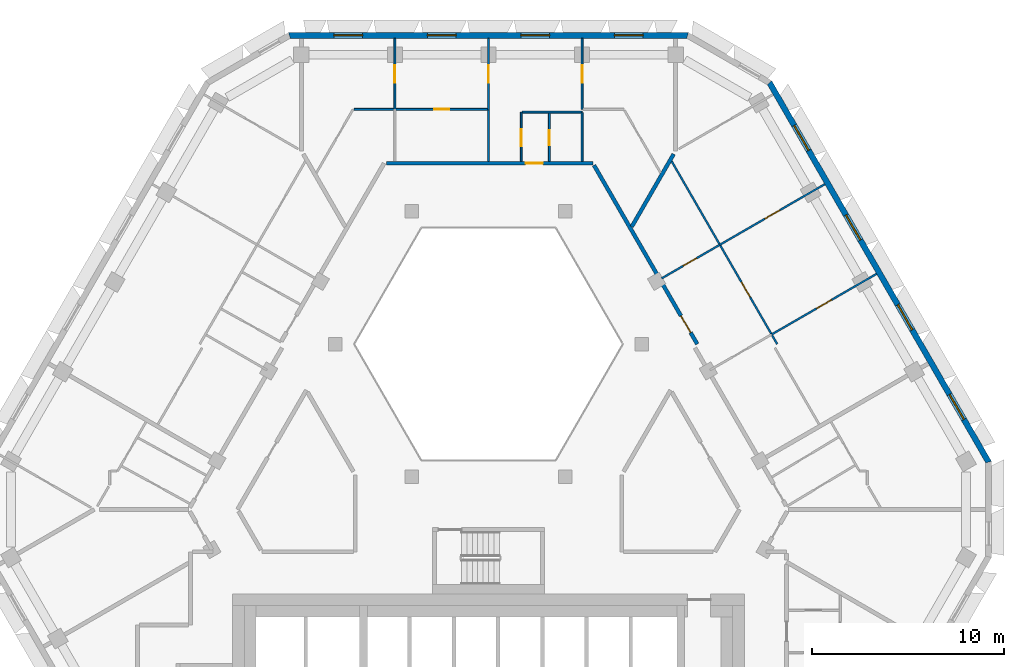
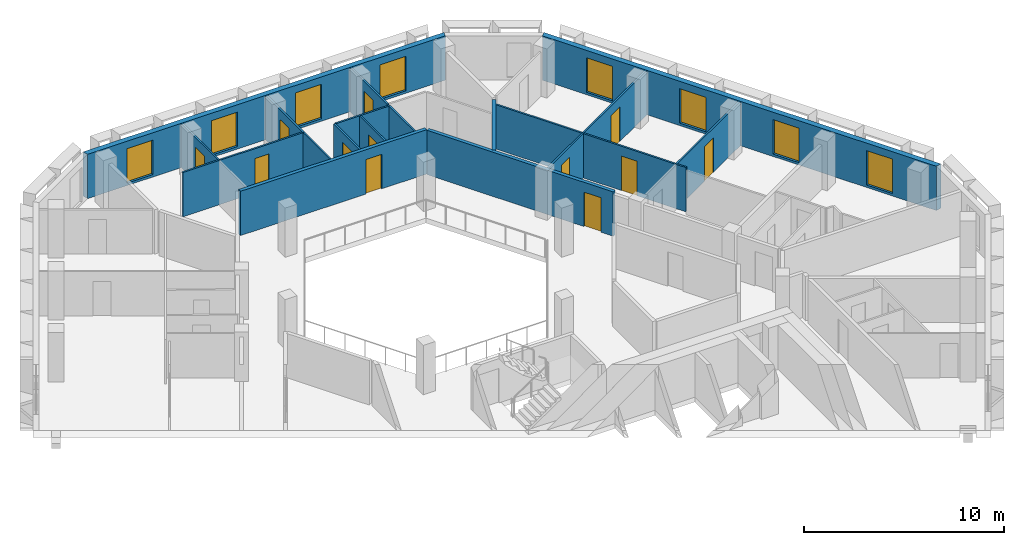
# One storey, part 7 of 15: 18 walls, 12 doors, 8 windows, 20 openings.
"""IFC4 building model written with IfcOpenShell, lengths in metres."""

from ifc_helpers import new_model, si_unit, direction, frame, frame_2d, origin, place, context, subcontext, project, spatial, polyline, rectangle, outline, extrude, material, layer, layer_set, type_object, element, fill, save


model = new_model("IFC4")

# Units and contexts
model_context = context("Model", 3, precision=1e-05, world=origin(), true_north=direction((0.0, 1.0)))
body_context = subcontext(model_context, "Body", "Model", "MODEL_VIEW")
ifc_project = project(units=[si_unit("LENGTHUNIT", "METRE"), si_unit("AREAUNIT", "SQUARE_METRE"), si_unit("VOLUMEUNIT", "CUBIC_METRE"), si_unit("PLANEANGLEUNIT", "RADIAN"), si_unit("MASSUNIT", "GRAM", prefix="KILO")], contexts=[model_context])

# Site, building, storey
site_placement = place(None, origin())
site = spatial("IfcSite", under=ifc_project, at=site_placement, CompositionType="ELEMENT")
building_placement = place(site_placement, origin())
building = spatial("IfcBuilding", under=site, at=building_placement, Name="Beryl Residences", CompositionType="ELEMENT")
storey_placement = place(building_placement, frame((0.0, 0.0, 187.199951171875)))
storey = spatial("IfcBuildingStorey", under=building, at=storey_placement, Name="L57", CompositionType="ELEMENT", Elevation=187.199951171875)

# Wall, openings, windows
ifc_material_1 = material(Name="Composite metal panel with mineral wool insulation")
ifc_layer_1 = layer(ifc_material_1, 0.300048828125)
ifc_layer_set_1 = layer_set([ifc_layer_1], Name="ES1 pale metal composite panel wall 300 mm")
wall_type_1 = type_object("IfcWallType", Name="ES1 pale metal composite panel wall 300 mm", PredefinedType="SOLIDWALL", material=ifc_layer_set_1)
wall_1_placement = place(storey_placement, frame((10.39208984375, 24.050048828125, 0.0), z_axis=(0.0, 0.0, 1.0), x_axis=(-1.0, 0.0, 0.0)))
wall_1 = element("IfcWall", 1, at=wall_1_placement, inside=storey, type_object=wall_type_1, Name="ES1 external wall L57 N", PredefinedType="SOLIDWALL", context=body_context, shape_type="SweptSolid", body=[
    extrude(outline(polyline([(0.0, -0.14990234375), (20.7841796875, -0.14990234375), (20.703857421875, 0.14990234375), (0.080322265625, 0.14990234375), (0.0, -0.14990234375)])), origin(), (0.0, 0.0, 1.0), 2.699951171875),
])
opening_1_placement = place(wall_1_placement, frame((2.345947265625, 0.0, 0.14990234375)))
opening_1 = element("IfcOpeningElement", 2, at=opening_1_placement, cuts=wall_1, Name="Opening W1", PredefinedType="OPENING", context=body_context, shape_type="SweptSolid", body=[
    extrude(rectangle(XDim=1.5, YDim=2.10009765625, at=frame_2d((0.75, 1.050048828125))), frame((0.0, 0.159912109375, 0.0), z_axis=(0.0, -1.0, 0.0), x_axis=(1.0, 0.0, 0.0)), (0.0, 0.0, 1.0), 0.320068359375),
])
opening_2_placement = place(wall_1_placement, frame((7.2099609375, 0.0, 0.14990234375)))
opening_2 = element("IfcOpeningElement", 3, at=opening_2_placement, cuts=wall_1, Name="Opening W1", PredefinedType="OPENING", context=body_context, shape_type="SweptSolid", body=[
    extrude(rectangle(XDim=1.5, YDim=2.10009765625, at=frame_2d((0.75, 1.050048828125))), frame((0.0, 0.159912109375, 0.0), z_axis=(0.0, -1.0, 0.0), x_axis=(1.0, 0.0, 0.0)), (0.0, 0.0, 1.0), 0.320068359375),
])
opening_3_placement = place(wall_1_placement, frame((12.073974609375, 0.0, 0.14990234375)))
opening_3 = element("IfcOpeningElement", 4, at=opening_3_placement, cuts=wall_1, Name="Opening W1", PredefinedType="OPENING", context=body_context, shape_type="SweptSolid", body=[
    extrude(rectangle(XDim=1.5, YDim=2.10009765625, at=frame_2d((0.75, 1.050048828125))), frame((0.0, 0.159912109375, 0.0), z_axis=(0.0, -1.0, 0.0), x_axis=(1.0, 0.0, 0.0)), (0.0, 0.0, 1.0), 0.320068359375),
])
opening_4_placement = place(wall_1_placement, frame((16.93798828125, 0.0, 0.14990234375)))
opening_4 = element("IfcOpeningElement", 5, at=opening_4_placement, cuts=wall_1, Name="Opening W1", PredefinedType="OPENING", context=body_context, shape_type="SweptSolid", body=[
    extrude(rectangle(XDim=1.5, YDim=2.10009765625, at=frame_2d((0.75, 1.050048828125))), frame((0.0, 0.159912109375, 0.0), z_axis=(0.0, -1.0, 0.0), x_axis=(1.0, 0.0, 0.0)), (0.0, 0.0, 1.0), 0.320068359375),
])
ifc_material_2 = material(Name="Aluminium and clear glass", Category="aluminium")
window_type = type_object("IfcWindowType", Name="W1 cell window 1500 x 2100 mm", PartitioningType="SINGLE_PANEL", PredefinedType="WINDOW", material=ifc_material_2)
window_1_placement = place(opening_1_placement, origin())
window_1 = element("IfcWindow", 6, at=window_1_placement, inside=storey, type_object=window_type, Name="W1 window L57 N 2", OverallHeight=2.10009765625, OverallWidth=1.5, PartitioningType="SINGLE_PANEL", PredefinedType="WINDOW", context=body_context, shape_type="SweptSolid", body=[
    extrude(rectangle(XDim=1.5, YDim=2.10009765625, at=frame_2d((0.75, 1.050048828125))), frame((0.0, 0.030029296875, 0.0), z_axis=(0.0, -1.0, 0.0), x_axis=(1.0, 0.0, 0.0)), (0.0, 0.0, 1.0), 0.06005859375),
])
fill(opening_1, window_1)
window_2_placement = place(opening_2_placement, origin())
window_2 = element("IfcWindow", 7, at=window_2_placement, inside=storey, type_object=window_type, Name="W1 window L57 N 4", OverallHeight=2.10009765625, OverallWidth=1.5, PartitioningType="SINGLE_PANEL", PredefinedType="WINDOW", context=body_context, shape_type="SweptSolid", body=[
    extrude(rectangle(XDim=1.5, YDim=2.10009765625, at=frame_2d((0.75, 1.050048828125))), frame((0.0, 0.030029296875, 0.0), z_axis=(0.0, -1.0, 0.0), x_axis=(1.0, 0.0, 0.0)), (0.0, 0.0, 1.0), 0.06005859375),
])
fill(opening_2, window_2)
window_3_placement = place(opening_3_placement, origin())
window_3 = element("IfcWindow", 8, at=window_3_placement, inside=storey, type_object=window_type, Name="W1 window L57 N 6", OverallHeight=2.10009765625, OverallWidth=1.5, PartitioningType="SINGLE_PANEL", PredefinedType="WINDOW", context=body_context, shape_type="SweptSolid", body=[
    extrude(rectangle(XDim=1.5, YDim=2.10009765625, at=frame_2d((0.75, 1.050048828125))), frame((0.0, 0.030029296875, 0.0), z_axis=(0.0, -1.0, 0.0), x_axis=(1.0, 0.0, 0.0)), (0.0, 0.0, 1.0), 0.06005859375),
])
fill(opening_3, window_3)
window_4_placement = place(opening_4_placement, origin())
window_4 = element("IfcWindow", 9, at=window_4_placement, inside=storey, type_object=window_type, Name="W1 window L57 N 8", OverallHeight=2.10009765625, OverallWidth=1.5, PartitioningType="SINGLE_PANEL", PredefinedType="WINDOW", context=body_context, shape_type="SweptSolid", body=[
    extrude(rectangle(XDim=1.5, YDim=2.10009765625, at=frame_2d((0.75, 1.050048828125))), frame((0.0, 0.030029296875, 0.0), z_axis=(0.0, -1.0, 0.0), x_axis=(1.0, 0.0, 0.0)), (0.0, 0.0, 1.0), 0.06005859375),
])
fill(opening_4, window_4)

wall_2_placement = place(storey_placement, frame((26.02392578125, 1.824951171875, 0.0), z_axis=(0.0, 0.0, 1.0), x_axis=(-0.500010537973, 0.866019319597, 0.0)))
wall_2 = element("IfcWall", 10, at=wall_2_placement, inside=storey, type_object=wall_type_1, Name="ES1 external wall L57 NE", PredefinedType="SOLIDWALL", context=body_context, shape_type="SweptSolid", body=[
    extrude(outline(polyline([(0.0, -0.14990234375), (22.86328125, -0.14990234375), (22.782958984375, 0.14990234375), (0.080322265625, 0.14990234375), (0.0, -0.14990234375)])), origin(), (0.0, 0.0, 1.0), 2.699951171875),
])
opening_5_placement = place(wall_2_placement, frame((2.60595703125, 0.0, 0.14990234375)))
opening_5 = element("IfcOpeningElement", 11, at=opening_5_placement, cuts=wall_2, Name="Opening W1", PredefinedType="OPENING", context=body_context, shape_type="SweptSolid", body=[
    extrude(rectangle(XDim=1.5, YDim=2.10009765625, at=frame_2d((0.75, 1.050048828125))), frame((0.0, 0.159912109375, 0.0), z_axis=(0.0, -1.0, 0.0), x_axis=(1.0, 0.0, 0.0)), (0.0, 0.0, 1.0), 0.320068359375),
])
opening_6_placement = place(wall_2_placement, frame((7.989990234375, 0.0, 0.14990234375)))
opening_6 = element("IfcOpeningElement", 12, at=opening_6_placement, cuts=wall_2, Name="Opening W1", PredefinedType="OPENING", context=body_context, shape_type="SweptSolid", body=[
    extrude(rectangle(XDim=1.5, YDim=2.10009765625, at=frame_2d((0.75, 1.050048828125))), frame((0.0, 0.159912109375, 0.0), z_axis=(0.0, -1.0, 0.0), x_axis=(1.0, 0.0, 0.0)), (0.0, 0.0, 1.0), 0.320068359375),
])
opening_7_placement = place(wall_2_placement, frame((13.373046875, 0.0, 0.14990234375)))
opening_7 = element("IfcOpeningElement", 13, at=opening_7_placement, cuts=wall_2, Name="Opening W1", PredefinedType="OPENING", context=body_context, shape_type="SweptSolid", body=[
    extrude(rectangle(XDim=1.5, YDim=2.10009765625, at=frame_2d((0.75, 1.050048828125))), frame((0.0, 0.159912109375, 0.0), z_axis=(0.0, -1.0, 0.0), x_axis=(1.0, 0.0, 0.0)), (0.0, 0.0, 1.0), 0.320068359375),
])
opening_8_placement = place(wall_2_placement, frame((18.758056640625, 0.0, 0.14990234375)))
opening_8 = element("IfcOpeningElement", 14, at=opening_8_placement, cuts=wall_2, Name="Opening W1", PredefinedType="OPENING", context=body_context, shape_type="SweptSolid", body=[
    extrude(rectangle(XDim=1.5, YDim=2.10009765625, at=frame_2d((0.75, 1.050048828125))), frame((0.0, 0.159912109375, 0.0), z_axis=(0.0, -1.0, 0.0), x_axis=(1.0, 0.0, 0.0)), (0.0, 0.0, 1.0), 0.320068359375),
])
window_5_placement = place(opening_5_placement, origin())
window_5 = element("IfcWindow", 15, at=window_5_placement, inside=storey, type_object=window_type, Name="W1 window L57 NE 2", OverallHeight=2.10009765625, OverallWidth=1.5, PartitioningType="SINGLE_PANEL", PredefinedType="WINDOW", context=body_context, shape_type="SweptSolid", body=[
    extrude(rectangle(XDim=1.5, YDim=2.10009765625, at=frame_2d((0.75, 1.050048828125))), frame((0.0, 0.030029296875, 0.0), z_axis=(0.0, -1.0, 0.0), x_axis=(1.0, 0.0, 0.0)), (0.0, 0.0, 1.0), 0.06005859375),
])
fill(opening_5, window_5)
window_6_placement = place(opening_6_placement, origin())
window_6 = element("IfcWindow", 16, at=window_6_placement, inside=storey, type_object=window_type, Name="W1 window L57 NE 4", OverallHeight=2.10009765625, OverallWidth=1.5, PartitioningType="SINGLE_PANEL", PredefinedType="WINDOW", context=body_context, shape_type="SweptSolid", body=[
    extrude(rectangle(XDim=1.5, YDim=2.10009765625, at=frame_2d((0.75, 1.050048828125))), frame((0.0, 0.030029296875, 0.0), z_axis=(0.0, -1.0, 0.0), x_axis=(1.0, 0.0, 0.0)), (0.0, 0.0, 1.0), 0.06005859375),
])
fill(opening_6, window_6)
window_7_placement = place(opening_7_placement, origin())
window_7 = element("IfcWindow", 17, at=window_7_placement, inside=storey, type_object=window_type, Name="W1 window L57 NE 6", OverallHeight=2.10009765625, OverallWidth=1.5, PartitioningType="SINGLE_PANEL", PredefinedType="WINDOW", context=body_context, shape_type="SweptSolid", body=[
    extrude(rectangle(XDim=1.5, YDim=2.10009765625, at=frame_2d((0.75, 1.050048828125))), frame((0.0, 0.030029296875, 0.0), z_axis=(0.0, -1.0, 0.0), x_axis=(1.0, 0.0, 0.0)), (0.0, 0.0, 1.0), 0.06005859375),
])
fill(opening_7, window_7)
window_8_placement = place(opening_8_placement, origin())
window_8 = element("IfcWindow", 18, at=window_8_placement, inside=storey, type_object=window_type, Name="W1 window L57 NE 8", OverallHeight=2.10009765625, OverallWidth=1.5, PartitioningType="SINGLE_PANEL", PredefinedType="WINDOW", context=body_context, shape_type="SweptSolid", body=[
    extrude(rectangle(XDim=1.5, YDim=2.10009765625, at=frame_2d((0.75, 1.050048828125))), frame((0.0, 0.030029296875, 0.0), z_axis=(0.0, -1.0, 0.0), x_axis=(1.0, 0.0, 0.0)), (0.0, 0.0, 1.0), 0.06005859375),
])
fill(opening_8, window_8)

# Wall, opening, door
ifc_material_3 = material(Name="Gypsum board partition on steel studs", Category="steel")
ifc_layer_2 = layer(ifc_material_3, 0.10009765625)
ifc_layer_set_2 = layer_set([ifc_layer_2], Name="PT1 partition 100 mm gypsum board on steel studs")
wall_type_2 = type_object("IfcWallType", Name="PT1 partition 100 mm gypsum board on steel studs", PredefinedType="PARTITIONING", material=ifc_layer_set_2)
wall_3_placement = place(storey_placement, frame((9.52587890625, 17.5, 0.0), z_axis=(0.0, 0.0, 1.0), x_axis=(0.500019134094, -0.866014356428, 0.0)))
wall_3 = element("IfcWall", 19, at=wall_3_placement, inside=storey, type_object=wall_type_2, Name="Wall PT1 L57 003", PredefinedType="PARTITIONING", context=body_context, shape_type="SweptSolid", body=[
    extrude(rectangle(XDim=10.9697265625, YDim=0.10009765625, at=frame_2d((5.48486328125, 0.0))), origin(), (0.0, 0.0, 1.0), 2.699951171875),
])
opening_9_placement = place(wall_3_placement, frame((7.25, 0.0, 0.0)))
opening_9 = element("IfcOpeningElement", 20, at=opening_9_placement, cuts=wall_3, Name="Opening D1702", PredefinedType="OPENING", context=body_context, shape_type="SweptSolid", body=[
    extrude(rectangle(XDim=0.89990234375, YDim=2.10009765625, at=frame_2d((0.449951171875, 1.050048828125))), frame((0.0, 0.06005859375, 0.0), z_axis=(0.0, -1.0, 0.0), x_axis=(1.0, 0.0, 0.0)), (0.0, 0.0, 1.0), 0.1201171875),
])
ifc_material_4 = material(Name="Timber door leaf", Category="wood")
door_type_1 = type_object("IfcDoorType", Name="D2 room door 900 x 2100 mm", OperationType="SINGLE_SWING_LEFT", PredefinedType="DOOR", material=ifc_material_4)
door_1_placement = place(opening_9_placement, origin())
door_1 = element("IfcDoor", 21, at=door_1_placement, inside=storey, type_object=door_type_1, Name="Door D1702 L57 001", OperationType="SINGLE_SWING_RIGHT", OverallHeight=2.10009765625, OverallWidth=0.89990234375, PredefinedType="DOOR", context=body_context, shape_type="SweptSolid", body=[
    extrude(rectangle(XDim=0.89990234375, YDim=2.10009765625, at=frame_2d((0.449951171875, 1.050048828125))), frame((0.0, 0.02490234375, 0.0), z_axis=(0.0, -1.0, 0.0), x_axis=(1.0, 0.0, 0.0)), (0.0, 0.0, 1.0), 0.050048828125),
])
fill(opening_9, door_1)

# Walls
wall_4_placement = place(storey_placement, frame((0.0, 20.169921875, 0.0), z_axis=(0.0, 0.0, 1.0), x_axis=(0.0, -1.0, 0.0)))
element("IfcWall", 22, at=wall_4_placement, inside=storey, type_object=wall_type_2, Name="Wall PT1 L57 006", PredefinedType="PARTITIONING", context=body_context, shape_type="SweptSolid", body=[
    extrude(rectangle(XDim=2.669921875, YDim=0.10009765625, at=frame_2d((1.3349609375, 0.0))), origin(), (0.0, 0.0, 1.0), 2.699951171875),
])
wall_5_placement = place(storey_placement, frame((4.864013671875, 20.030029296875, 0.0), z_axis=(0.0, 0.0, 1.0), x_axis=(0.0, -1.0, 0.0)))
element("IfcWall", 23, at=wall_5_placement, inside=storey, type_object=wall_type_2, Name="Wall PT1 L57 007", PredefinedType="PARTITIONING", context=body_context, shape_type="SweptSolid", body=[
    extrude(rectangle(XDim=2.530029296875, YDim=0.10009765625, at=frame_2d((1.26513671875, 0.0))), origin(), (0.0, 0.0, 1.0), 2.699951171875),
])
wall_6_placement = place(storey_placement, frame((1.7529296875, 20.06005859375, 0.0), z_axis=(0.0, 0.0, 1.0), x_axis=(1.0, 0.0, 0.0)))
element("IfcWall", 24, at=wall_6_placement, inside=storey, type_object=wall_type_2, Name="Wall PT1 L57 021", PredefinedType="PARTITIONING", context=body_context, shape_type="SweptSolid", body=[
    extrude(rectangle(XDim=3.111083984375, YDim=0.10009765625, at=frame_2d((1.5556640625, 0.0))), origin(), (0.0, 0.0, 1.0), 2.699951171875),
])

# Wall, opening, door
wall_7_placement = place(storey_placement, frame((-6.985107421875, 20.199951171875, 0.0), z_axis=(0.0, 0.0, 1.0), x_axis=(1.0, 0.0, 0.0)))
wall_7 = element("IfcWall", 25, at=wall_7_placement, inside=storey, type_object=wall_type_2, Name="Wall PT1 L57 022", PredefinedType="PARTITIONING", context=body_context, shape_type="SweptSolid", body=[
    extrude(rectangle(XDim=6.93505859375, YDim=0.10009765625, at=frame_2d((3.467529296875, 0.0))), origin(), (0.0, 0.0, 1.0), 2.699951171875),
])
opening_10_placement = place(wall_7_placement, frame((4.153076171875, 0.0, 0.0)))
opening_10 = element("IfcOpeningElement", 26, at=opening_10_placement, cuts=wall_7, Name="Opening D1714", PredefinedType="OPENING", context=body_context, shape_type="SweptSolid", body=[
    extrude(rectangle(XDim=0.800048828125, YDim=2.10009765625, at=frame_2d((0.39990234375, 1.050048828125))), frame((0.0, 0.06005859375, 0.0), z_axis=(0.0, -1.0, 0.0), x_axis=(1.0, 0.0, 0.0)), (0.0, 0.0, 1.0), 0.1201171875),
])
ifc_material_5 = material(Name="Timber door leaf", Category="wood")
door_type_2 = type_object("IfcDoorType", Name="D3 bathroom door 800 x 2100 mm", OperationType="SINGLE_SWING_LEFT", PredefinedType="DOOR", material=ifc_material_5)
door_2_placement = place(opening_10_placement, origin())
door_2 = element("IfcDoor", 27, at=door_2_placement, inside=storey, type_object=door_type_2, Name="Door D1714 L57 001", OperationType="SINGLE_SWING_RIGHT", OverallHeight=2.10009765625, OverallWidth=0.800048828125, PredefinedType="DOOR", context=body_context, shape_type="SweptSolid", body=[
    extrude(rectangle(XDim=0.800048828125, YDim=2.10009765625, at=frame_2d((0.39990234375, 1.050048828125))), frame((0.0, 0.02490234375, 0.0), z_axis=(0.0, -1.0, 0.0), x_axis=(1.0, 0.0, 0.0)), (0.0, 0.0, 1.0), 0.050048828125),
])
fill(opening_10, door_2)

wall_8_placement = place(storey_placement, frame((3.162109375, 17.5, 0.0), z_axis=(0.0, 0.0, 1.0), x_axis=(0.0, 1.0, 0.0)))
wall_8 = element("IfcWall", 28, at=wall_8_placement, inside=storey, type_object=wall_type_2, Name="Wall PT1 L57 029", PredefinedType="PARTITIONING", context=body_context, shape_type="SweptSolid", body=[
    extrude(rectangle(XDim=2.510009765625, YDim=0.10009765625, at=frame_2d((1.2548828125, 0.0))), origin(), (0.0, 0.0, 1.0), 2.699951171875),
])
opening_11_placement = place(wall_8_placement, frame((0.830078125, 0.0, 0.0)))
opening_11 = element("IfcOpeningElement", 29, at=opening_11_placement, cuts=wall_8, Name="Opening D1710", PredefinedType="OPENING", context=body_context, shape_type="SweptSolid", body=[
    extrude(rectangle(XDim=0.800048828125, YDim=2.10009765625, at=frame_2d((0.39990234375, 1.050048828125))), frame((0.0, 0.06005859375, 0.0), z_axis=(0.0, -1.0, 0.0), x_axis=(1.0, 0.0, 0.0)), (0.0, 0.0, 1.0), 0.1201171875),
])
door_3_placement = place(opening_11_placement, origin())
door_3 = element("IfcDoor", 30, at=door_3_placement, inside=storey, type_object=door_type_2, Name="Door D1710 L57 001", OperationType="SINGLE_SWING_RIGHT", OverallHeight=2.10009765625, OverallWidth=0.800048828125, PredefinedType="DOOR", context=body_context, shape_type="SweptSolid", body=[
    extrude(rectangle(XDim=0.800048828125, YDim=2.10009765625, at=frame_2d((0.39990234375, 1.050048828125))), frame((0.0, 0.02490234375, 0.0), z_axis=(0.0, -1.0, 0.0), x_axis=(1.0, 0.0, 0.0)), (0.0, 0.0, 1.0), 0.050048828125),
])
fill(opening_11, door_3)

wall_9_placement = place(storey_placement, frame((4.864013671875, 20.199951171875, 0.0), z_axis=(0.0, 0.0, 1.0), x_axis=(0.0, 1.0, 0.0)))
wall_9 = element("IfcWall", 31, at=wall_9_placement, inside=storey, type_object=wall_type_2, Name="Wall PT1 L57 030", PredefinedType="PARTITIONING", context=body_context, shape_type="SweptSolid", body=[
    extrude(rectangle(XDim=3.699951171875, YDim=0.10009765625, at=frame_2d((1.85009765625, 0.0))), origin(), (0.0, 0.0, 1.0), 2.699951171875),
])
opening_12_placement = place(wall_9_placement, frame((1.39990234375, 0.0, 0.0)))
opening_12 = element("IfcOpeningElement", 32, at=opening_12_placement, cuts=wall_9, Name="Opening D1712", PredefinedType="OPENING", context=body_context, shape_type="SweptSolid", body=[
    extrude(rectangle(XDim=0.89990234375, YDim=2.10009765625, at=frame_2d((0.449951171875, 1.050048828125))), frame((0.0, 0.06005859375, 0.0), z_axis=(0.0, -1.0, 0.0), x_axis=(1.0, 0.0, 0.0)), (0.0, 0.0, 1.0), 0.1201171875),
])
door_4_placement = place(opening_12_placement, origin())
door_4 = element("IfcDoor", 33, at=door_4_placement, inside=storey, type_object=door_type_1, Name="Door D1712 L57 001", OperationType="SINGLE_SWING_RIGHT", OverallHeight=2.10009765625, OverallWidth=0.89990234375, PredefinedType="DOOR", context=body_context, shape_type="SweptSolid", body=[
    extrude(rectangle(XDim=0.89990234375, YDim=2.10009765625, at=frame_2d((0.449951171875, 1.050048828125))), frame((0.0, 0.02490234375, 0.0), z_axis=(0.0, -1.0, 0.0), x_axis=(1.0, 0.0, 0.0)), (0.0, 0.0, 1.0), 0.050048828125),
])
fill(opening_12, door_4)

wall_10_placement = place(storey_placement, frame((1.701904296875, 17.5, 0.0), z_axis=(0.0, 0.0, 1.0), x_axis=(0.0, 1.0, 0.0)))
wall_10 = element("IfcWall", 34, at=wall_10_placement, inside=storey, type_object=wall_type_2, Name="Wall PT1 L57 031", PredefinedType="PARTITIONING", context=body_context, shape_type="SweptSolid", body=[
    extrude(rectangle(XDim=2.55908203125, YDim=0.10009765625, at=frame_2d((1.279541015625, 0.0))), origin(), (0.0, 0.0, 1.0), 2.699951171875),
])
opening_13_placement = place(wall_10_placement, frame((0.780029296875, 0.0, 0.0)))
opening_13 = element("IfcOpeningElement", 35, at=opening_13_placement, cuts=wall_10, Name="Opening D1709", PredefinedType="OPENING", context=body_context, shape_type="SweptSolid", body=[
    extrude(rectangle(XDim=0.89990234375, YDim=2.10009765625, at=frame_2d((0.449951171875, 1.050048828125))), frame((0.0, 0.06005859375, 0.0), z_axis=(0.0, -1.0, 0.0), x_axis=(1.0, 0.0, 0.0)), (0.0, 0.0, 1.0), 0.1201171875),
])
door_5_placement = place(opening_13_placement, origin())
door_5 = element("IfcDoor", 36, at=door_5_placement, inside=storey, type_object=door_type_1, Name="Door D1709 L57 001", OperationType="SINGLE_SWING_LEFT", OverallHeight=2.10009765625, OverallWidth=0.89990234375, PredefinedType="DOOR", context=body_context, shape_type="SweptSolid", body=[
    extrude(rectangle(XDim=0.89990234375, YDim=2.10009765625, at=frame_2d((0.449951171875, 1.050048828125))), frame((0.0, 0.02490234375, 0.0), z_axis=(0.0, -1.0, 0.0), x_axis=(1.0, 0.0, 0.0)), (0.0, 0.0, 1.0), 0.050048828125),
])
fill(opening_13, door_5)

wall_11_placement = place(storey_placement, frame((0.0, 20.179931640625, 0.0), z_axis=(0.0, 0.0, 1.0), x_axis=(0.0, 1.0, 0.0)))
wall_11 = element("IfcWall", 37, at=wall_11_placement, inside=storey, type_object=wall_type_2, Name="Wall PT1 L57 034", PredefinedType="PARTITIONING", context=body_context, shape_type="SweptSolid", body=[
    extrude(rectangle(XDim=3.719970703125, YDim=0.10009765625, at=frame_2d((1.85986328125, 0.0))), origin(), (0.0, 0.0, 1.0), 2.699951171875),
])
opening_14_placement = place(wall_11_placement, frame((1.409912109375, 0.0, 0.0)))
opening_14 = element("IfcOpeningElement", 38, at=opening_14_placement, cuts=wall_11, Name="Opening D1711", PredefinedType="OPENING", context=body_context, shape_type="SweptSolid", body=[
    extrude(rectangle(XDim=0.89990234375, YDim=2.10009765625, at=frame_2d((0.449951171875, 1.050048828125))), frame((0.0, 0.06005859375, 0.0), z_axis=(0.0, -1.0, 0.0), x_axis=(1.0, 0.0, 0.0)), (0.0, 0.0, 1.0), 0.1201171875),
])
door_6_placement = place(opening_14_placement, origin())
door_6 = element("IfcDoor", 39, at=door_6_placement, inside=storey, type_object=door_type_1, Name="Door D1711 L57 001", OperationType="SINGLE_SWING_LEFT", OverallHeight=2.10009765625, OverallWidth=0.89990234375, PredefinedType="DOOR", context=body_context, shape_type="SweptSolid", body=[
    extrude(rectangle(XDim=0.89990234375, YDim=2.10009765625, at=frame_2d((0.449951171875, 1.050048828125))), frame((0.0, 0.02490234375, 0.0), z_axis=(0.0, -1.0, 0.0), x_axis=(1.0, 0.0, 0.0)), (0.0, 0.0, 1.0), 0.050048828125),
])
fill(opening_14, door_6)

wall_12_placement = place(storey_placement, frame((8.9990234375, 11.4130859375, 0.0), z_axis=(0.0, 0.0, 1.0), x_axis=(0.866019471182, 0.500010275428, 0.0)))
wall_12 = element("IfcWall", 40, at=wall_12_placement, inside=storey, type_object=wall_type_2, Name="Wall PT1 L57 038", PredefinedType="PARTITIONING", context=body_context, shape_type="SweptSolid", body=[
    extrude(rectangle(XDim=3.5, YDim=0.10009765625, at=frame_2d((1.75, 0.0))), origin(), (0.0, 0.0, 1.0), 2.699951171875),
])
opening_15_placement = place(wall_12_placement, frame((1.300048828125, 0.0, 0.0)))
opening_15 = element("IfcOpeningElement", 41, at=opening_15_placement, cuts=wall_12, Name="Opening D1704", PredefinedType="OPENING", context=body_context, shape_type="SweptSolid", body=[
    extrude(rectangle(XDim=0.800048828125, YDim=2.10009765625, at=frame_2d((0.39990234375, 1.050048828125))), frame((0.0, 0.06005859375, 0.0), z_axis=(0.0, -1.0, 0.0), x_axis=(1.0, 0.0, 0.0)), (0.0, 0.0, 1.0), 0.1201171875),
])
door_7_placement = place(opening_15_placement, origin())
door_7 = element("IfcDoor", 42, at=door_7_placement, inside=storey, type_object=door_type_2, Name="Door D1704 L57 001", OperationType="SINGLE_SWING_RIGHT", OverallHeight=2.10009765625, OverallWidth=0.800048828125, PredefinedType="DOOR", context=body_context, shape_type="SweptSolid", body=[
    extrude(rectangle(XDim=0.800048828125, YDim=2.10009765625, at=frame_2d((0.39990234375, 1.050048828125))), frame((0.0, 0.02490234375, 0.0), z_axis=(0.0, -1.0, 0.0), x_axis=(1.0, 0.0, 0.0)), (0.0, 0.0, 1.0), 0.050048828125),
])
fill(opening_15, door_7)

wall_13_placement = place(storey_placement, frame((14.721923828125, 8.5, 0.0), z_axis=(0.0, 0.0, 1.0), x_axis=(0.866035871367, 0.499981869177, 0.0)))
wall_13 = element("IfcWall", 43, at=wall_13_placement, inside=storey, type_object=wall_type_2, Name="Wall PT1 L57 042", PredefinedType="PARTITIONING", context=body_context, shape_type="SweptSolid", body=[
    extrude(rectangle(XDim=6.300048828125, YDim=0.10009765625, at=frame_2d((3.14990234375, 0.0))), origin(), (0.0, 0.0, 1.0), 2.699951171875),
])
opening_16_placement = place(wall_13_placement, frame((2.699951171875, 0.0, 0.0)))
opening_16 = element("IfcOpeningElement", 44, at=opening_16_placement, cuts=wall_13, Name="Opening D1705", PredefinedType="OPENING", context=body_context, shape_type="SweptSolid", body=[
    extrude(rectangle(XDim=0.89990234375, YDim=2.10009765625, at=frame_2d((0.449951171875, 1.050048828125))), frame((0.0, 0.06005859375, 0.0), z_axis=(0.0, -1.0, 0.0), x_axis=(1.0, 0.0, 0.0)), (0.0, 0.0, 1.0), 0.1201171875),
])
door_8_placement = place(opening_16_placement, origin())
door_8 = element("IfcDoor", 45, at=door_8_placement, inside=storey, type_object=door_type_1, Name="Door D1705 L57 001", OperationType="SINGLE_SWING_LEFT", OverallHeight=2.10009765625, OverallWidth=0.89990234375, PredefinedType="DOOR", context=body_context, shape_type="SweptSolid", body=[
    extrude(rectangle(XDim=0.89990234375, YDim=2.10009765625, at=frame_2d((0.449951171875, 1.050048828125))), frame((0.0, 0.02490234375, 0.0), z_axis=(0.0, -1.0, 0.0), x_axis=(1.0, 0.0, 0.0)), (0.0, 0.0, 1.0), 0.050048828125),
])
fill(opening_16, door_8)

wall_14_placement = place(storey_placement, frame((12.030029296875, 13.1630859375, 0.0), z_axis=(0.0, 0.0, 1.0), x_axis=(0.866035871367, 0.499981869177, 0.0)))
wall_14 = element("IfcWall", 46, at=wall_14_placement, inside=storey, type_object=wall_type_2, Name="Wall PT1 L57 043", PredefinedType="PARTITIONING", context=body_context, shape_type="SweptSolid", body=[
    extrude(rectangle(XDim=6.300048828125, YDim=0.10009765625, at=frame_2d((3.14990234375, 0.0))), origin(), (0.0, 0.0, 1.0), 2.699951171875),
])
opening_17_placement = place(wall_14_placement, frame((2.699951171875, 0.0, 0.0)))
opening_17 = element("IfcOpeningElement", 47, at=opening_17_placement, cuts=wall_14, Name="Opening D1706", PredefinedType="OPENING", context=body_context, shape_type="SweptSolid", body=[
    extrude(rectangle(XDim=0.89990234375, YDim=2.10009765625, at=frame_2d((0.449951171875, 1.050048828125))), frame((0.0, 0.06005859375, 0.0), z_axis=(0.0, -1.0, 0.0), x_axis=(1.0, 0.0, 0.0)), (0.0, 0.0, 1.0), 0.1201171875),
])
door_9_placement = place(opening_17_placement, origin())
door_9 = element("IfcDoor", 48, at=door_9_placement, inside=storey, type_object=door_type_1, Name="Door D1706 L57 001", OperationType="SINGLE_SWING_RIGHT", OverallHeight=2.10009765625, OverallWidth=0.89990234375, PredefinedType="DOOR", context=body_context, shape_type="SweptSolid", body=[
    extrude(rectangle(XDim=0.89990234375, YDim=2.10009765625, at=frame_2d((0.449951171875, 1.050048828125))), frame((0.0, 0.02490234375, 0.0), z_axis=(0.0, -1.0, 0.0), x_axis=(1.0, 0.0, 0.0)), (0.0, 0.0, 1.0), 0.050048828125),
])
fill(opening_17, door_9)

wall_15_placement = place(storey_placement, frame((-4.864013671875, 20.199951171875, 0.0), z_axis=(0.0, 0.0, 1.0), x_axis=(0.0, 1.0, 0.0)))
wall_15 = element("IfcWall", 49, at=wall_15_placement, inside=storey, type_object=wall_type_2, Name="Wall PT1 L57 045", PredefinedType="PARTITIONING", context=body_context, shape_type="SweptSolid", body=[
    extrude(rectangle(XDim=3.699951171875, YDim=0.10009765625, at=frame_2d((1.85009765625, 0.0))), origin(), (0.0, 0.0, 1.0), 2.699951171875),
])
opening_18_placement = place(wall_15_placement, frame((1.39990234375, 0.0, 0.0)))
opening_18 = element("IfcOpeningElement", 50, at=opening_18_placement, cuts=wall_15, Name="Opening D1715", PredefinedType="OPENING", context=body_context, shape_type="SweptSolid", body=[
    extrude(rectangle(XDim=0.89990234375, YDim=2.10009765625, at=frame_2d((0.449951171875, 1.050048828125))), frame((0.0, 0.06005859375, 0.0), z_axis=(0.0, -1.0, 0.0), x_axis=(1.0, 0.0, 0.0)), (0.0, 0.0, 1.0), 0.1201171875),
])
door_10_placement = place(opening_18_placement, origin())
door_10 = element("IfcDoor", 51, at=door_10_placement, inside=storey, type_object=door_type_1, Name="Door D1715 L57 001", OperationType="SINGLE_SWING_LEFT", OverallHeight=2.10009765625, OverallWidth=0.89990234375, PredefinedType="DOOR", context=body_context, shape_type="SweptSolid", body=[
    extrude(rectangle(XDim=0.89990234375, YDim=2.10009765625, at=frame_2d((0.449951171875, 1.050048828125))), frame((0.0, 0.02490234375, 0.0), z_axis=(0.0, -1.0, 0.0), x_axis=(1.0, 0.0, 0.0)), (0.0, 0.0, 1.0), 0.050048828125),
])
fill(opening_18, door_10)

# Wall
ifc_material_6 = material(Name="Acoustic double stud gypsum board wall")
ifc_layer_3 = layer(ifc_material_6, 0.199951171875)
ifc_layer_set_3 = layer_set([ifc_layer_3], Name="PT3 party wall 200 mm acoustic double stud")
wall_type_3 = type_object("IfcWallType", Name="PT3 party wall 200 mm acoustic double stud", PredefinedType="PARTITIONING", material=ifc_layer_set_3)
wall_16_placement = place(storey_placement, frame((7.447998046875, 14.10009765625, 0.0), z_axis=(0.0, 0.0, 1.0), x_axis=(0.499961462843, 0.866047652079, 0.0)))
element("IfcWall", 52, at=wall_16_placement, inside=storey, type_object=wall_type_3, Name="Wall PT3 L57 007", PredefinedType="PARTITIONING", context=body_context, shape_type="SweptSolid", body=[
    extrude(rectangle(XDim=4.362060546875, YDim=0.199951171875, at=frame_2d((2.18115234375, 0.0))), origin(), (0.0, 0.0, 1.0), 2.699951171875),
])

# Wall, opening, door
ifc_material_7 = material(Name="Double stud gypsum board wall")
ifc_layer_4 = layer(ifc_material_7, 0.199951171875)
ifc_layer_set_4 = layer_set([ifc_layer_4], Name="PT4 corridor wall 200 mm double stud")
wall_type_4 = type_object("IfcWallType", Name="PT4 corridor wall 200 mm double stud", PredefinedType="PARTITIONING", material=ifc_layer_set_4)
wall_17_placement = place(storey_placement, frame((5.485107421875, 17.300048828125, 0.0), z_axis=(0.0, 0.0, 1.0), x_axis=(0.499965832213, -0.866045129667, 0.0)))
wall_17 = element("IfcWall", 53, at=wall_17_placement, inside=storey, type_object=wall_type_4, Name="Wall PT4 L57 006", PredefinedType="PARTITIONING", context=body_context, shape_type="SweptSolid", body=[
    extrude(rectangle(XDim=10.738525390625, YDim=0.199951171875, at=frame_2d((5.369140625, 0.0))), origin(), (0.0, 0.0, 1.0), 2.699951171875),
])
opening_19_placement = place(wall_17_placement, frame((9.047119140625, 0.0, 0.0)))
opening_19 = element("IfcOpeningElement", 54, at=opening_19_placement, cuts=wall_17, Name="Opening D1701", PredefinedType="OPENING", context=body_context, shape_type="SweptSolid", body=[
    extrude(rectangle(XDim=1.0, YDim=2.10009765625, at=frame_2d((0.5, 1.050048828125))), frame((0.0, 0.10986328125, 0.0), z_axis=(0.0, -1.0, 0.0), x_axis=(1.0, 0.0, 0.0)), (0.0, 0.0, 1.0), 0.219970703125),
])
ifc_material_8 = material(Name="Timber door leaf", Category="wood")
door_type_3 = type_object("IfcDoorType", Name="D1 flat entrance door 1000 x 2100 mm", OperationType="SINGLE_SWING_LEFT", PredefinedType="DOOR", material=ifc_material_8)
door_11_placement = place(opening_19_placement, origin())
door_11 = element("IfcDoor", 55, at=door_11_placement, inside=storey, type_object=door_type_3, Name="Door D1701 L57 001", OperationType="SINGLE_SWING_LEFT", OverallHeight=2.10009765625, OverallWidth=1.0, PredefinedType="DOOR", context=body_context, shape_type="SweptSolid", body=[
    extrude(rectangle(XDim=1.0, YDim=2.10009765625, at=frame_2d((0.5, 1.050048828125))), frame((0.0, 0.02490234375, 0.0), z_axis=(0.0, -1.0, 0.0), x_axis=(1.0, 0.0, 0.0)), (0.0, 0.0, 1.0), 0.050048828125),
])
fill(opening_19, door_11)

wall_18_placement = place(storey_placement, frame((-5.31103515625, 17.39990234375, 0.0), z_axis=(0.0, 0.0, 1.0), x_axis=(1.0, 0.0, 0.0)))
wall_18 = element("IfcWall", 56, at=wall_18_placement, inside=storey, type_object=wall_type_4, Name="Wall PT4 L57 014", PredefinedType="PARTITIONING", context=body_context, shape_type="SweptSolid", body=[
    extrude(rectangle(XDim=10.737060546875, YDim=0.199951171875, at=frame_2d((5.36865234375, 0.0))), origin(), (0.0, 0.0, 1.0), 2.699951171875),
])
opening_20_placement = place(wall_18_placement, frame((7.242919921875, 0.0, 0.0)))
opening_20 = element("IfcOpeningElement", 57, at=opening_20_placement, cuts=wall_18, Name="Opening D1708", PredefinedType="OPENING", context=body_context, shape_type="SweptSolid", body=[
    extrude(rectangle(XDim=0.89990234375, YDim=2.10009765625, at=frame_2d((0.449951171875, 1.050048828125))), frame((0.0, 0.10986328125, 0.0), z_axis=(0.0, -1.0, 0.0), x_axis=(1.0, 0.0, 0.0)), (0.0, 0.0, 1.0), 0.219970703125),
])
ifc_material_9 = material(Name="Timber door leaf", Category="wood")
door_type_4 = type_object("IfcDoorType", Name="D11 flat entrance door 900 x 2100 mm", OperationType="SINGLE_SWING_LEFT", PredefinedType="DOOR", material=ifc_material_9)
door_12_placement = place(opening_20_placement, origin())
door_12 = element("IfcDoor", 58, at=door_12_placement, inside=storey, type_object=door_type_4, Name="Door D1708 L57 001", OperationType="SINGLE_SWING_RIGHT", OverallHeight=2.10009765625, OverallWidth=0.89990234375, PredefinedType="DOOR", context=body_context, shape_type="SweptSolid", body=[
    extrude(rectangle(XDim=0.89990234375, YDim=2.10009765625, at=frame_2d((0.449951171875, 1.050048828125))), frame((0.0, 0.02490234375, 0.0), z_axis=(0.0, -1.0, 0.0), x_axis=(1.0, 0.0, 0.0)), (0.0, 0.0, 1.0), 0.050048828125),
])
fill(opening_20, door_12)

save(model, "model.ifc")
